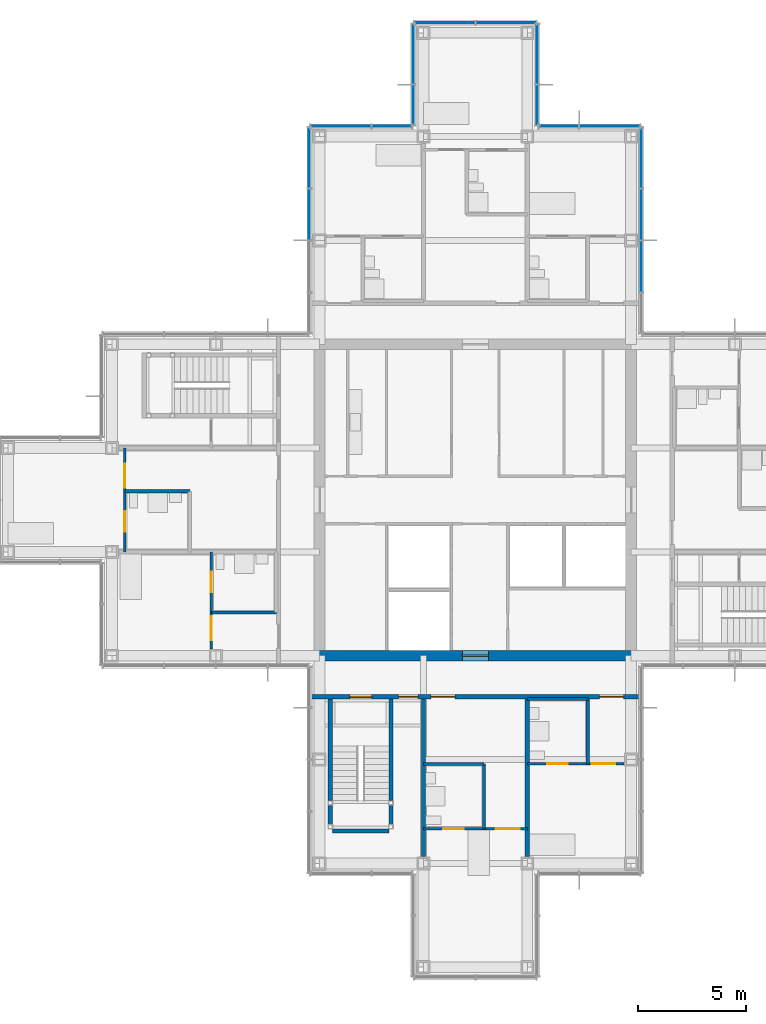
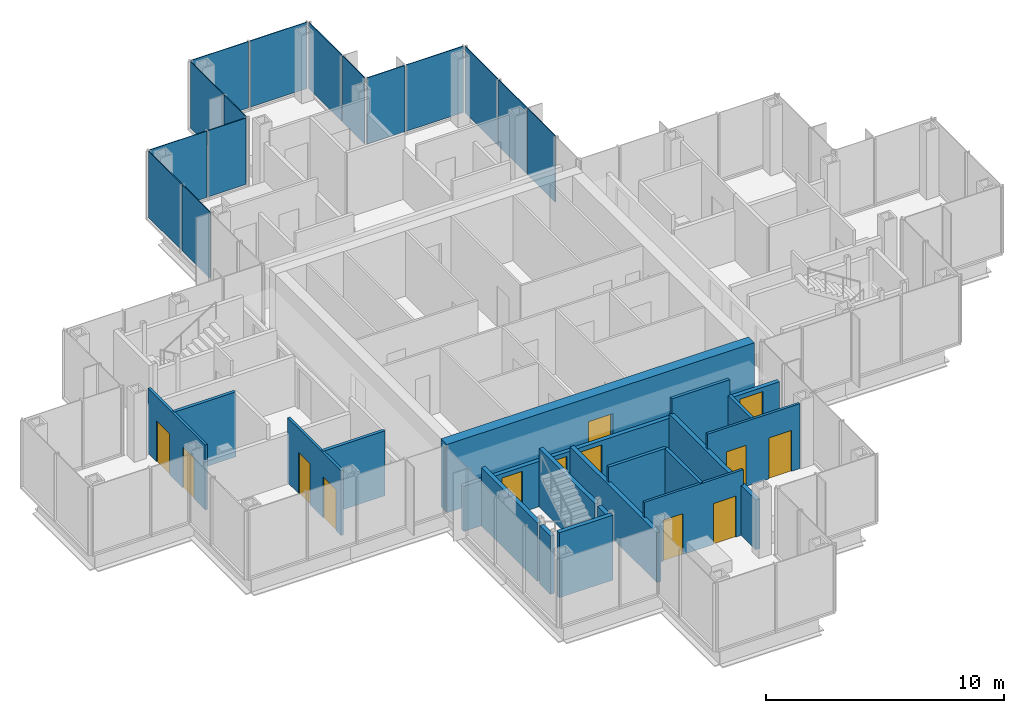
# One storey, part 11 of 17: 19 walls, 15 plates, 13 doors, 13 openings, 7 elements without a shape of their own.
"""IFC4 building model written with IfcOpenShell, lengths in metres."""

from ifc_helpers import new_model, si_unit, direction, frame, frame_2d, origin, origin_2d, place, context, subcontext, project, spatial, rectangle, extrude, material, layer, layer_set, type_object, element, fill, aggregate, save


model = new_model("IFC4")

# Units and contexts
model_context = context("Model", 3, precision=1e-05, world=origin(), true_north=direction((0.0, 1.0)))
body_context = subcontext(model_context, "Body", "Model", "MODEL_VIEW")
ifc_project = project(units=[si_unit("LENGTHUNIT", "METRE"), si_unit("AREAUNIT", "SQUARE_METRE"), si_unit("VOLUMEUNIT", "CUBIC_METRE"), si_unit("PLANEANGLEUNIT", "RADIAN"), si_unit("MASSUNIT", "GRAM", prefix="KILO")], contexts=[model_context])

# Site, building, storey
site_placement = place(None, origin())
site = spatial("IfcSite", under=ifc_project, at=site_placement, CompositionType="ELEMENT")
building_placement = place(site_placement, origin())
building = spatial("IfcBuilding", under=site, at=building_placement, Name="Kvirike Care Tower", CompositionType="ELEMENT")
storey_placement = place(building_placement, frame((0.0, 0.0, 179.5)))
storey = spatial("IfcBuildingStorey", under=building, at=storey_placement, Name="L49", CompositionType="ELEMENT", Elevation=179.5)

# Curtain wall, plates
ifc_material_1 = material(Name="Anodised aluminium stick system", Category="aluminium")
curtain_wall_type = type_object("IfcCurtainWallType", Name="CW-C STICK CURTAIN WALL", PredefinedType="NOTDEFINED", material=ifc_material_1)
curtain_wall_1_placement = place(storey_placement, origin())
curtain_wall_1 = element("IfcCurtainWall", 1, at=curtain_wall_1_placement, inside=storey, type_object=curtain_wall_type, Name="Curtain wall L49 face 8", PredefinedType="NOTDEFINED")
ifc_material_2 = material(Name="Tinted double glazed unit", Category="glass")
ifc_layer_1 = layer(ifc_material_2, 0.0400390625)
ifc_layer_set_1 = layer_set([ifc_layer_1], Name="TINTED VISION PANEL 40")
plate_type = type_object("IfcPlateType", Name="TINTED VISION PANEL 40", PredefinedType="CURTAIN_PANEL", material=ifc_layer_set_1)
plate_1_placement = place(storey_placement, frame((29.27001953125, 46.800048828125, 0.10009765625), z_axis=(0.0, 0.0, 1.0), x_axis=(0.0, 1.0, 0.0)))
plate_1 = element("IfcPlate", 2, at=plate_1_placement, type_object=plate_type, Name="CW-C panel L49 face 8.2", PredefinedType="CURTAIN_PANEL", context=body_context, shape_type="SweptSolid", body=[
    extrude(rectangle(XDim=2.3349609375, YDim=0.0400390625, at=origin_2d()), origin(), (0.0, 0.0, 1.0), 3.39990234375),
])
plate_2_placement = place(storey_placement, frame((29.27001953125, 49.199951171875, 0.10009765625), z_axis=(0.0, 0.0, 1.0), x_axis=(0.0, 1.0, 0.0)))
plate_2 = element("IfcPlate", 3, at=plate_2_placement, type_object=plate_type, Name="CW-C panel L49 face 8.3", PredefinedType="CURTAIN_PANEL", context=body_context, shape_type="SweptSolid", body=[
    extrude(rectangle(XDim=2.3349609375, YDim=0.0400390625, at=origin_2d()), origin(), (0.0, 0.0, 1.0), 3.39990234375),
])
plate_3_placement = place(storey_placement, frame((29.27001953125, 51.81884765625, 0.10009765625), z_axis=(0.0, 0.0, 1.0), x_axis=(0.0, 1.0, 0.0)))
plate_3 = element("IfcPlate", 4, at=plate_3_placement, type_object=plate_type, Name="CW-C panel L49 face 8.4", PredefinedType="CURTAIN_PANEL", context=body_context, shape_type="SweptSolid", body=[
    extrude(rectangle(XDim=2.7724609375, YDim=0.0400390625, at=origin_2d()), origin(), (0.0, 0.0, 1.0), 3.39990234375),
])
aggregate(curtain_wall_1, [plate_1, plate_2, plate_3])

curtain_wall_2_placement = place(storey_placement, origin())
curtain_wall_2 = element("IfcCurtainWall", 5, at=curtain_wall_2_placement, inside=storey, type_object=curtain_wall_type, Name="Curtain wall L49 face 9", PredefinedType="NOTDEFINED")
plate_4_placement = place(storey_placement, frame((27.81884765625, 53.27001953125, 0.10009765625), z_axis=(0.0, 0.0, 1.0), x_axis=(-1.0, 0.0, 0.0)))
plate_4 = element("IfcPlate", 6, at=plate_4_placement, type_object=plate_type, Name="CW-C panel L49 face 9.1", PredefinedType="CURTAIN_PANEL", context=body_context, shape_type="SweptSolid", body=[
    extrude(rectangle(XDim=2.7724609375, YDim=0.0400390625, at=origin_2d()), origin(), (0.0, 0.0, 1.0), 3.39990234375),
])
plate_5_placement = place(storey_placement, frame((25.451171875, 53.27001953125, 0.10009765625), z_axis=(0.0, 0.0, 1.0), x_axis=(-1.0, 0.0, 0.0)))
plate_5 = element("IfcPlate", 7, at=plate_5_placement, type_object=plate_type, Name="CW-C panel L49 face 9.2", PredefinedType="CURTAIN_PANEL", context=body_context, shape_type="SweptSolid", body=[
    extrude(rectangle(XDim=1.83251953125, YDim=0.0400390625, at=origin_2d()), origin(), (0.0, 0.0, 1.0), 3.39990234375),
])
aggregate(curtain_wall_2, [plate_4, plate_5])

curtain_wall_3_placement = place(storey_placement, origin())
curtain_wall_3 = element("IfcCurtainWall", 8, at=curtain_wall_3_placement, inside=storey, type_object=curtain_wall_type, Name="Curtain wall L49 face 10", PredefinedType="NOTDEFINED")
plate_6_placement = place(storey_placement, frame((24.469970703125, 54.251220703125, 0.10009765625), z_axis=(0.0, 0.0, 1.0), x_axis=(0.0, 1.0, 0.0)))
plate_6 = element("IfcPlate", 9, at=plate_6_placement, type_object=plate_type, Name="CW-C panel L49 face 10.1", PredefinedType="CURTAIN_PANEL", context=body_context, shape_type="SweptSolid", body=[
    extrude(rectangle(XDim=1.83251953125, YDim=0.0400390625, at=origin_2d()), origin(), (0.0, 0.0, 1.0), 3.39990234375),
])
plate_7_placement = place(storey_placement, frame((24.469970703125, 56.61865234375, 0.10009765625), z_axis=(0.0, 0.0, 1.0), x_axis=(0.0, 1.0, 0.0)))
plate_7 = element("IfcPlate", 10, at=plate_7_placement, type_object=plate_type, Name="CW-C panel L49 face 10.2", PredefinedType="CURTAIN_PANEL", context=body_context, shape_type="SweptSolid", body=[
    extrude(rectangle(XDim=2.7724609375, YDim=0.0400390625, at=origin_2d()), origin(), (0.0, 0.0, 1.0), 3.39990234375),
])
aggregate(curtain_wall_3, [plate_6, plate_7])

curtain_wall_4_placement = place(storey_placement, origin())
curtain_wall_4 = element("IfcCurtainWall", 11, at=curtain_wall_4_placement, inside=storey, type_object=curtain_wall_type, Name="Curtain wall L49 face 11", PredefinedType="NOTDEFINED")
plate_8_placement = place(storey_placement, frame((23.018798828125, 58.070068359375, 0.10009765625), z_axis=(0.0, 0.0, 1.0), x_axis=(-1.0, 0.0, 0.0)))
plate_8 = element("IfcPlate", 12, at=plate_8_placement, type_object=plate_type, Name="CW-C panel L49 face 11.1", PredefinedType="CURTAIN_PANEL", context=body_context, shape_type="SweptSolid", body=[
    extrude(rectangle(XDim=2.7724609375, YDim=0.0400390625, at=origin_2d()), origin(), (0.0, 0.0, 1.0), 3.39990234375),
])
plate_9_placement = place(storey_placement, frame((20.18115234375, 58.070068359375, 0.10009765625), z_axis=(0.0, 0.0, 1.0), x_axis=(-1.0, 0.0, 0.0)))
plate_9 = element("IfcPlate", 13, at=plate_9_placement, type_object=plate_type, Name="CW-C panel L49 face 11.2", PredefinedType="CURTAIN_PANEL", context=body_context, shape_type="SweptSolid", body=[
    extrude(rectangle(XDim=2.7724609375, YDim=0.0400390625, at=origin_2d()), origin(), (0.0, 0.0, 1.0), 3.39990234375),
])
aggregate(curtain_wall_4, [plate_8, plate_9])

curtain_wall_5_placement = place(storey_placement, origin())
curtain_wall_5 = element("IfcCurtainWall", 14, at=curtain_wall_5_placement, inside=storey, type_object=curtain_wall_type, Name="Curtain wall L49 face 12", PredefinedType="NOTDEFINED")
plate_10_placement = place(storey_placement, frame((18.72998046875, 56.61865234375, 0.10009765625), z_axis=(0.0, 0.0, 1.0), x_axis=(0.0, -1.0, 0.0)))
plate_10 = element("IfcPlate", 15, at=plate_10_placement, type_object=plate_type, Name="CW-C panel L49 face 12.1", PredefinedType="CURTAIN_PANEL", context=body_context, shape_type="SweptSolid", body=[
    extrude(rectangle(XDim=2.7724609375, YDim=0.0400390625, at=origin_2d()), origin(), (0.0, 0.0, 1.0), 3.39990234375),
])
plate_11_placement = place(storey_placement, frame((18.72998046875, 54.251220703125, 0.10009765625), z_axis=(0.0, 0.0, 1.0), x_axis=(0.0, -1.0, 0.0)))
plate_11 = element("IfcPlate", 16, at=plate_11_placement, type_object=plate_type, Name="CW-C panel L49 face 12.2", PredefinedType="CURTAIN_PANEL", context=body_context, shape_type="SweptSolid", body=[
    extrude(rectangle(XDim=1.83251953125, YDim=0.0400390625, at=origin_2d()), origin(), (0.0, 0.0, 1.0), 3.39990234375),
])
aggregate(curtain_wall_5, [plate_10, plate_11])

curtain_wall_6_placement = place(storey_placement, origin())
curtain_wall_6 = element("IfcCurtainWall", 17, at=curtain_wall_6_placement, inside=storey, type_object=curtain_wall_type, Name="Curtain wall L49 face 13", PredefinedType="NOTDEFINED")
plate_12_placement = place(storey_placement, frame((17.748779296875, 53.27001953125, 0.10009765625), z_axis=(0.0, 0.0, 1.0), x_axis=(-1.0, 0.0, 0.0)))
plate_12 = element("IfcPlate", 18, at=plate_12_placement, type_object=plate_type, Name="CW-C panel L49 face 13.1", PredefinedType="CURTAIN_PANEL", context=body_context, shape_type="SweptSolid", body=[
    extrude(rectangle(XDim=1.83251953125, YDim=0.0400390625, at=origin_2d()), origin(), (0.0, 0.0, 1.0), 3.39990234375),
])
plate_13_placement = place(storey_placement, frame((15.38134765625, 53.27001953125, 0.10009765625), z_axis=(0.0, 0.0, 1.0), x_axis=(-1.0, 0.0, 0.0)))
plate_13 = element("IfcPlate", 19, at=plate_13_placement, type_object=plate_type, Name="CW-C panel L49 face 13.2", PredefinedType="CURTAIN_PANEL", context=body_context, shape_type="SweptSolid", body=[
    extrude(rectangle(XDim=2.7724609375, YDim=0.0400390625, at=origin_2d()), origin(), (0.0, 0.0, 1.0), 3.39990234375),
])
aggregate(curtain_wall_6, [plate_12, plate_13])

curtain_wall_7_placement = place(storey_placement, origin())
curtain_wall_7 = element("IfcCurtainWall", 20, at=curtain_wall_7_placement, inside=storey, type_object=curtain_wall_type, Name="Curtain wall L49 face 14", PredefinedType="NOTDEFINED")
plate_14_placement = place(storey_placement, frame((13.929931640625, 51.81884765625, 0.10009765625), z_axis=(0.0, 0.0, 1.0), x_axis=(0.0, -1.0, 0.0)))
plate_14 = element("IfcPlate", 21, at=plate_14_placement, type_object=plate_type, Name="CW-C panel L49 face 14.1", PredefinedType="CURTAIN_PANEL", context=body_context, shape_type="SweptSolid", body=[
    extrude(rectangle(XDim=2.7724609375, YDim=0.0400390625, at=origin_2d()), origin(), (0.0, 0.0, 1.0), 3.39990234375),
])
plate_15_placement = place(storey_placement, frame((13.929931640625, 49.199951171875, 0.10009765625), z_axis=(0.0, 0.0, 1.0), x_axis=(0.0, -1.0, 0.0)))
plate_15 = element("IfcPlate", 22, at=plate_15_placement, type_object=plate_type, Name="CW-C panel L49 face 14.2", PredefinedType="CURTAIN_PANEL", context=body_context, shape_type="SweptSolid", body=[
    extrude(rectangle(XDim=2.3349609375, YDim=0.0400390625, at=origin_2d()), origin(), (0.0, 0.0, 1.0), 3.39990234375),
])
aggregate(curtain_wall_7, [plate_14, plate_15])

# Walls
ifc_material_3 = material(Name="Moisture-resistant board partition", Category="gypsum")
ifc_layer_2 = layer(ifc_material_3, 0.14990234375)
ifc_layer_set_2 = layer_set([ifc_layer_2], Name="BATHROOM WALL 150")
wall_type_1 = type_object("IfcWallType", Name="BATHROOM WALL 150", PredefinedType="PARTITIONING", material=ifc_layer_set_2)
for number, where, z_axis, x_axis, name in (
    (23, (5.39990234375, 36.39990234375, 0.0), (0.0, 0.0, 1.0), (1.0, 0.0, 0.0), "Bathroom Wall 150 L49"),
    (24, (9.39990234375, 30.800048828125, 0.0), (0.0, 0.0, 1.0), (1.0, 0.0, 0.0), "Bathroom Wall 150 L49"),
    (25, (22.0, 20.800048828125, 0.0), (0.0, 0.0, 1.0), (0.0, 1.0, 0.0), "Bathroom Wall 150 L49"),
):
    element("IfcWall", number, at=place(storey_placement, frame(where, z_axis=z_axis, x_axis=x_axis)), inside=storey, type_object=wall_type_1, Name=name, PredefinedType="PARTITIONING", context=body_context, shape_type="SweptSolid", body=[
        extrude(rectangle(XDim=3.0, YDim=0.14990234375, at=frame_2d((1.5, 0.0))), origin(), (0.0, 0.0, 1.0), 3.330078125),
    ])
wall_1_placement = place(storey_placement, frame((19.199951171875, 23.800048828125, 0.0), z_axis=(0.0, 0.0, 1.0), x_axis=(1.0, 0.0, 0.0)))
element("IfcWall", 26, at=wall_1_placement, inside=storey, type_object=wall_type_1, Name="Bathroom Wall 150 L49", PredefinedType="PARTITIONING", context=body_context, shape_type="SweptSolid", body=[
    extrude(rectangle(XDim=2.800048828125, YDim=0.14990234375, at=frame_2d((1.39990234375, 0.0))), origin(), (0.0, 0.0, 1.0), 3.330078125),
])
wall_2_placement = place(storey_placement, frame((26.800048828125, 23.800048828125, 0.0), z_axis=(0.0, 0.0, 1.0), x_axis=(0.0, 1.0, 0.0)))
element("IfcWall", 27, at=wall_2_placement, inside=storey, type_object=wall_type_1, Name="Bathroom Wall 150 L49", PredefinedType="PARTITIONING", context=body_context, shape_type="SweptSolid", body=[
    extrude(rectangle(XDim=3.0, YDim=0.14990234375, at=frame_2d((1.5, 0.0))), origin(), (0.0, 0.0, 1.0), 2.550048828125),
])
wall_3_placement = place(storey_placement, frame((24.0, 26.800048828125, 0.0), z_axis=(0.0, 0.0, 1.0), x_axis=(1.0, 0.0, 0.0)))
element("IfcWall", 28, at=wall_3_placement, inside=storey, type_object=wall_type_1, Name="Bathroom Wall 150 L49", PredefinedType="PARTITIONING", context=body_context, shape_type="SweptSolid", body=[
    extrude(rectangle(XDim=2.800048828125, YDim=0.14990234375, at=frame_2d((1.39990234375, 0.0))), origin(), (0.0, 0.0, 1.0), 3.330078125),
])

# Wall, opening, door
ifc_material_4 = material(Name="Concrete C45/55", Category="concrete")
ifc_layer_3 = layer(ifc_material_4, 0.5)
ifc_layer_set_3 = layer_set([ifc_layer_3], Name="CORE WALL 500 C45-55")
wall_type_2 = type_object("IfcWallType", Name="CORE WALL 500 C45-55", PredefinedType="SHEAR", material=ifc_layer_set_3)
wall_4_placement = place(storey_placement, frame((14.14990234375, 28.800048828125, -0.169921875), z_axis=(0.0, 0.0, 1.0), x_axis=(1.0, 0.0, 0.0)))
wall_4 = element("IfcWall", 29, at=wall_4_placement, inside=storey, type_object=wall_type_2, Name="Core wall S L49", PredefinedType="SHEAR", context=body_context, shape_type="SweptSolid", body=[
    extrude(rectangle(XDim=14.900146484375, YDim=0.5, at=frame_2d((7.4501953125, 0.0))), origin(), (0.0, 0.0, 1.0), 3.5),
])
opening_1_placement = place(wall_4_placement, frame((6.85009765625, 0.0, 0.169921875)))
opening_1 = element("IfcOpeningElement", 30, at=opening_1_placement, cuts=wall_4, Name="Opening 49-049", PredefinedType="OPENING", context=body_context, shape_type="SweptSolid", body=[
    extrude(rectangle(XDim=1.199951171875, YDim=2.10009765625, at=frame_2d((0.60009765625, 1.050048828125))), frame((0.0, 0.260498046875, 0.0), z_axis=(0.0, -1.0, 0.0), x_axis=(1.0, 0.0, 0.0)), (0.0, 0.0, 1.0), 0.52099609375),
])
ifc_material_5 = material(Name="Timber door set", Category="wood")
door_type_1 = type_object("IfcDoorType", Name="CORE DOOR 1200", OperationType="SINGLE_SWING_LEFT", PredefinedType="DOOR", material=ifc_material_5)
door_1_placement = place(opening_1_placement, origin())
door_1 = element("IfcDoor", 31, at=door_1_placement, inside=storey, type_object=door_type_1, Name="Core door S L49", OperationType="SINGLE_SWING_LEFT", OverallHeight=2.10009765625, OverallWidth=1.199951171875, PredefinedType="DOOR", context=body_context, shape_type="SweptSolid", body=[
    extrude(rectangle(XDim=1.199951171875, YDim=2.10009765625, at=frame_2d((0.60009765625, 1.050048828125))), frame((0.0, 0.02685546875, 0.0), z_axis=(0.0, -1.0, 0.0), x_axis=(1.0, 0.0, 0.0)), (0.0, 0.0, 1.0), 0.053955078125),
])
fill(opening_1, door_1)

# Wall, openings, doors
ifc_material_6 = material(Name="Plasterboard corridor wall", Category="gypsum")
ifc_layer_4 = layer(ifc_material_6, 0.199951171875)
ifc_layer_set_4 = layer_set([ifc_layer_4], Name="CORRIDOR WALL 200")
wall_type_3 = type_object("IfcWallType", Name="CORRIDOR WALL 200", PredefinedType="PARTITIONING", material=ifc_layer_set_4)
wall_5_placement = place(storey_placement, frame((13.949951171875, 26.89990234375, 0.0), z_axis=(0.0, 0.0, 1.0), x_axis=(1.0, 0.0, 0.0)))
wall_5 = element("IfcWall", 32, at=wall_5_placement, inside=storey, type_object=wall_type_3, Name="Corridor Wall 200 L49", PredefinedType="PARTITIONING", context=body_context, shape_type="SweptSolid", body=[
    extrude(rectangle(XDim=15.300048828125, YDim=0.199951171875, at=frame_2d((7.64990234375, 0.0))), origin(), (0.0, 0.0, 1.0), 2.320068359375),
])
opening_2_placement = place(wall_5_placement, frame((1.85009765625, 0.0, 0.0)))
opening_2 = element("IfcOpeningElement", 33, at=opening_2_placement, cuts=wall_5, Name="Opening 49-014", PredefinedType="OPENING", context=body_context, shape_type="SweptSolid", body=[
    extrude(rectangle(XDim=1.0, YDim=2.10009765625, at=frame_2d((0.5, 1.050048828125))), frame((0.0, 0.110595703125, 0.0), z_axis=(0.0, -1.0, 0.0), x_axis=(1.0, 0.0, 0.0)), (0.0, 0.0, 1.0), 0.220947265625),
])
opening_3_placement = place(wall_5_placement, frame((4.10009765625, 0.0, 0.0)))
opening_3 = element("IfcOpeningElement", 34, at=opening_3_placement, cuts=wall_5, Name="Opening 49-015", PredefinedType="OPENING", context=body_context, shape_type="SweptSolid", body=[
    extrude(rectangle(XDim=0.89990234375, YDim=2.10009765625, at=frame_2d((0.449951171875, 1.050048828125))), frame((0.0, 0.110595703125, 0.0), z_axis=(0.0, -1.0, 0.0), x_axis=(1.0, 0.0, 0.0)), (0.0, 0.0, 1.0), 0.220947265625),
])
opening_4_placement = place(wall_5_placement, frame((5.60009765625, 0.0, 0.0)))
opening_4 = element("IfcOpeningElement", 35, at=opening_4_placement, cuts=wall_5, Name="Opening 49-016", PredefinedType="OPENING", context=body_context, shape_type="SweptSolid", body=[
    extrude(rectangle(XDim=1.10009765625, YDim=2.10009765625, at=frame_2d((0.550048828125, 1.050048828125))), frame((0.0, 0.110595703125, 0.0), z_axis=(0.0, -1.0, 0.0), x_axis=(1.0, 0.0, 0.0)), (0.0, 0.0, 1.0), 0.220947265625),
])
opening_5_placement = place(wall_5_placement, frame((13.39990234375, 0.0, 0.0)))
opening_5 = element("IfcOpeningElement", 36, at=opening_5_placement, cuts=wall_5, Name="Opening 49-017", PredefinedType="OPENING", context=body_context, shape_type="SweptSolid", body=[
    extrude(rectangle(XDim=1.10009765625, YDim=2.10009765625, at=frame_2d((0.550048828125, 1.050048828125))), frame((0.0, 0.110595703125, 0.0), z_axis=(0.0, -1.0, 0.0), x_axis=(1.0, 0.0, 0.0)), (0.0, 0.0, 1.0), 0.220947265625),
])
ifc_material_7 = material(Name="Timber door set", Category="wood")
door_type_2 = type_object("IfcDoorType", Name="BEDROOM ENTRANCE DOOR 1100", OperationType="SINGLE_SWING_LEFT", PredefinedType="DOOR", material=ifc_material_7)
door_2_placement = place(opening_4_placement, frame((1.10009765625, 0.0, 0.0), z_axis=(0.0, 0.0, 1.0), x_axis=(-1.0, 0.0, 0.0)))
door_2 = element("IfcDoor", 37, at=door_2_placement, inside=storey, type_object=door_type_2, Name="Memory care bedroom entrance", OperationType="SINGLE_SWING_LEFT", OverallHeight=2.10009765625, OverallWidth=1.10009765625, PredefinedType="DOOR", context=body_context, shape_type="SweptSolid", body=[
    extrude(rectangle(XDim=1.10009765625, YDim=2.10009765625, at=frame_2d((0.550048828125, 1.050048828125))), frame((0.0, 0.02685546875, 0.0), z_axis=(0.0, -1.0, 0.0), x_axis=(1.0, 0.0, 0.0)), (0.0, 0.0, 1.0), 0.053955078125),
])
fill(opening_4, door_2)
door_3_placement = place(opening_5_placement, frame((1.10009765625, 0.0, 0.0), z_axis=(0.0, 0.0, 1.0), x_axis=(-1.0, 0.0, 0.0)))
door_3 = element("IfcDoor", 38, at=door_3_placement, inside=storey, type_object=door_type_2, Name="Memory care bedroom entrance", OperationType="SINGLE_SWING_RIGHT", OverallHeight=2.10009765625, OverallWidth=1.10009765625, PredefinedType="DOOR", context=body_context, shape_type="SweptSolid", body=[
    extrude(rectangle(XDim=1.10009765625, YDim=2.10009765625, at=frame_2d((0.550048828125, 1.050048828125))), frame((0.0, 0.02685546875, 0.0), z_axis=(0.0, -1.0, 0.0), x_axis=(1.0, 0.0, 0.0)), (0.0, 0.0, 1.0), 0.053955078125),
])
fill(opening_5, door_3)
ifc_material_8 = material(Name="Timber door set", Category="wood")
door_type_3 = type_object("IfcDoorType", Name="STAIR DOOR 1000", OperationType="SINGLE_SWING_LEFT", PredefinedType="DOOR", material=ifc_material_8)
door_4_placement = place(opening_2_placement, frame((1.0, 0.0, 0.0), z_axis=(0.0, 0.0, 1.0), x_axis=(-1.0, 0.0, 0.0)))
door_4 = element("IfcDoor", 39, at=door_4_placement, inside=storey, type_object=door_type_3, Name="Stair 5 door", OperationType="SINGLE_SWING_LEFT", OverallHeight=2.10009765625, OverallWidth=1.0, PredefinedType="DOOR", context=body_context, shape_type="SweptSolid", body=[
    extrude(rectangle(XDim=1.0, YDim=2.10009765625, at=frame_2d((0.5, 1.050048828125))), frame((0.0, 0.031982421875, 0.0), z_axis=(0.0, -1.0, 0.0), x_axis=(1.0, 0.0, 0.0)), (0.0, 0.0, 1.0), 0.06396484375),
])
fill(opening_2, door_4)
ifc_material_9 = material(Name="Timber door set", Category="wood")
door_type_4 = type_object("IfcDoorType", Name="STORE DOOR 900", OperationType="SINGLE_SWING_LEFT", PredefinedType="DOOR", material=ifc_material_9)
door_5_placement = place(opening_3_placement, frame((0.89990234375, 0.0, 0.0), z_axis=(0.0, 0.0, 1.0), x_axis=(-1.0, 0.0, 0.0)))
door_5 = element("IfcDoor", 40, at=door_5_placement, inside=storey, type_object=door_type_4, Name="Housekeeping room door", OperationType="SINGLE_SWING_LEFT", OverallHeight=2.10009765625, OverallWidth=0.89990234375, PredefinedType="DOOR", context=body_context, shape_type="SweptSolid", body=[
    extrude(rectangle(XDim=0.89990234375, YDim=2.10009765625, at=frame_2d((0.449951171875, 1.050048828125))), frame((0.0, 0.02685546875, 0.0), z_axis=(0.0, -1.0, 0.0), x_axis=(1.0, 0.0, 0.0)), (0.0, 0.0, 1.0), 0.053955078125),
])
fill(opening_3, door_5)

ifc_material_10 = material(Name="Plasterboard partition", Category="gypsum")
ifc_layer_5 = layer(ifc_material_10, 0.1201171875)
ifc_layer_set_5 = layer_set([ifc_layer_5], Name="PARTITION 120")
wall_type_4 = type_object("IfcWallType", Name="PARTITION 120", PredefinedType="PARTITIONING", material=ifc_layer_set_5)
wall_6_placement = place(storey_placement, frame((5.39990234375, 38.39990234375, 0.0), z_axis=(0.0, 0.0, 1.0), x_axis=(0.0, -1.0, 0.0)))
wall_6 = element("IfcWall", 41, at=wall_6_placement, inside=storey, type_object=wall_type_4, Name="Partition 120 L49", PredefinedType="PARTITIONING", context=body_context, shape_type="SweptSolid", body=[
    extrude(rectangle(XDim=4.7998046875, YDim=0.1201171875, at=frame_2d((2.39990234375, 0.0))), origin(), (0.0, 0.0, 1.0), 3.330078125),
])
opening_6_placement = place(wall_6_placement, frame((0.72509765625, 0.0, 0.0)))
opening_6 = element("IfcOpeningElement", 42, at=opening_6_placement, cuts=wall_6, Name="Opening 49-002", PredefinedType="OPENING", context=body_context, shape_type="SweptSolid", body=[
    extrude(rectangle(XDim=1.10009765625, YDim=2.10009765625, at=frame_2d((0.550048828125, 1.050048828125))), frame((0.0, 0.070556640625, 0.0), z_axis=(0.0, -1.0, 0.0), x_axis=(1.0, 0.0, 0.0)), (0.0, 0.0, 1.0), 0.14111328125),
])
opening_7_placement = place(wall_6_placement, frame((2.925048828125, 0.0, 0.0)))
opening_7 = element("IfcOpeningElement", 43, at=opening_7_placement, cuts=wall_6, Name="Opening 49-003", PredefinedType="OPENING", context=body_context, shape_type="SweptSolid", body=[
    extrude(rectangle(XDim=0.949951171875, YDim=2.10009765625, at=frame_2d((0.47509765625, 1.050048828125))), frame((0.0, 0.070556640625, 0.0), z_axis=(0.0, -1.0, 0.0), x_axis=(1.0, 0.0, 0.0)), (0.0, 0.0, 1.0), 0.14111328125),
])
ifc_material_11 = material(Name="Timber door set", Category="wood")
door_type_5 = type_object("IfcDoorType", Name="BEDROOM DOOR 1100", OperationType="SINGLE_SWING_LEFT", PredefinedType="DOOR", material=ifc_material_11)
door_6_placement = place(opening_6_placement, origin())
door_6 = element("IfcDoor", 44, at=door_6_placement, inside=storey, type_object=door_type_5, Name="Memory care bedroom door", OperationType="SINGLE_SWING_LEFT", OverallHeight=2.10009765625, OverallWidth=1.10009765625, PredefinedType="DOOR", context=body_context, shape_type="SweptSolid", body=[
    extrude(rectangle(XDim=1.10009765625, YDim=2.10009765625, at=frame_2d((0.550048828125, 1.050048828125))), frame((0.0, 0.02197265625, 0.0), z_axis=(0.0, -1.0, 0.0), x_axis=(1.0, 0.0, 0.0)), (0.0, 0.0, 1.0), 0.0439453125),
])
fill(opening_6, door_6)
ifc_material_12 = material(Name="Timber door set", Category="wood")
door_type_6 = type_object("IfcDoorType", Name="EN-SUITE SLIDING DOOR 950", OperationType="SLIDING_TO_LEFT", PredefinedType="DOOR", material=ifc_material_12)
door_7_placement = place(opening_7_placement, origin())
door_7 = element("IfcDoor", 45, at=door_7_placement, inside=storey, type_object=door_type_6, Name="En-suite door", OperationType="SLIDING_TO_LEFT", OverallHeight=2.10009765625, OverallWidth=0.949951171875, PredefinedType="DOOR", context=body_context, shape_type="SweptSolid", body=[
    extrude(rectangle(XDim=0.949951171875, YDim=2.10009765625, at=frame_2d((0.47509765625, 1.050048828125))), frame((0.0, 0.02197265625, 0.0), z_axis=(0.0, -1.0, 0.0), x_axis=(1.0, 0.0, 0.0)), (0.0, 0.0, 1.0), 0.0439453125),
])
fill(opening_7, door_7)

wall_7_placement = place(storey_placement, frame((9.39990234375, 33.60009765625, 0.0), z_axis=(0.0, 0.0, 1.0), x_axis=(0.0, -1.0, 0.0)))
wall_7 = element("IfcWall", 46, at=wall_7_placement, inside=storey, type_object=wall_type_4, Name="Partition 120 L49", PredefinedType="PARTITIONING", context=body_context, shape_type="SweptSolid", body=[
    extrude(rectangle(XDim=4.47998046875, YDim=0.1201171875, at=frame_2d((2.239990234375, 0.0))), origin(), (0.0, 0.0, 1.0), 3.330078125),
])
opening_8_placement = place(wall_7_placement, frame((2.97509765625, 0.0, 0.0)))
opening_8 = element("IfcOpeningElement", 47, at=opening_8_placement, cuts=wall_7, Name="Opening 49-004", PredefinedType="OPENING", context=body_context, shape_type="SweptSolid", body=[
    extrude(rectangle(XDim=1.10009765625, YDim=2.10009765625, at=frame_2d((0.550048828125, 1.050048828125))), frame((0.0, 0.070556640625, 0.0), z_axis=(0.0, -1.0, 0.0), x_axis=(1.0, 0.0, 0.0)), (0.0, 0.0, 1.0), 0.14111328125),
])
opening_9_placement = place(wall_7_placement, frame((0.925048828125, 0.0, 0.0)))
opening_9 = element("IfcOpeningElement", 48, at=opening_9_placement, cuts=wall_7, Name="Opening 49-005", PredefinedType="OPENING", context=body_context, shape_type="SweptSolid", body=[
    extrude(rectangle(XDim=0.949951171875, YDim=2.10009765625, at=frame_2d((0.47509765625, 1.050048828125))), frame((0.0, 0.070556640625, 0.0), z_axis=(0.0, -1.0, 0.0), x_axis=(1.0, 0.0, 0.0)), (0.0, 0.0, 1.0), 0.14111328125),
])
door_8_placement = place(opening_8_placement, origin())
door_8 = element("IfcDoor", 49, at=door_8_placement, inside=storey, type_object=door_type_5, Name="Memory care bedroom door", OperationType="SINGLE_SWING_RIGHT", OverallHeight=2.10009765625, OverallWidth=1.10009765625, PredefinedType="DOOR", context=body_context, shape_type="SweptSolid", body=[
    extrude(rectangle(XDim=1.10009765625, YDim=2.10009765625, at=frame_2d((0.550048828125, 1.050048828125))), frame((0.0, 0.02197265625, 0.0), z_axis=(0.0, -1.0, 0.0), x_axis=(1.0, 0.0, 0.0)), (0.0, 0.0, 1.0), 0.0439453125),
])
fill(opening_8, door_8)
door_9_placement = place(opening_9_placement, origin())
door_9 = element("IfcDoor", 50, at=door_9_placement, inside=storey, type_object=door_type_6, Name="En-suite door", OperationType="SLIDING_TO_LEFT", OverallHeight=2.10009765625, OverallWidth=0.949951171875, PredefinedType="DOOR", context=body_context, shape_type="SweptSolid", body=[
    extrude(rectangle(XDim=0.949951171875, YDim=2.10009765625, at=frame_2d((0.47509765625, 1.050048828125))), frame((0.0, 0.02197265625, 0.0), z_axis=(0.0, -1.0, 0.0), x_axis=(1.0, 0.0, 0.0)), (0.0, 0.0, 1.0), 0.0439453125),
])
fill(opening_9, door_9)

wall_8_placement = place(storey_placement, frame((19.199951171875, 20.800048828125, 0.0), z_axis=(0.0, 0.0, 1.0), x_axis=(1.0, 0.0, 0.0)))
wall_8 = element("IfcWall", 51, at=wall_8_placement, inside=storey, type_object=wall_type_4, Name="Partition 120 L49", PredefinedType="PARTITIONING", context=body_context, shape_type="SweptSolid", body=[
    extrude(rectangle(XDim=4.800048828125, YDim=0.1201171875, at=frame_2d((2.39990234375, 0.0))), origin(), (0.0, 0.0, 1.0), 3.330078125),
])
opening_10_placement = place(wall_8_placement, frame((3.35009765625, 0.0, 0.0)))
opening_10 = element("IfcOpeningElement", 52, at=opening_10_placement, cuts=wall_8, Name="Opening 49-010", PredefinedType="OPENING", context=body_context, shape_type="SweptSolid", body=[
    extrude(rectangle(XDim=1.10009765625, YDim=2.10009765625, at=frame_2d((0.550048828125, 1.050048828125))), frame((0.0, 0.070556640625, 0.0), z_axis=(0.0, -1.0, 0.0), x_axis=(1.0, 0.0, 0.0)), (0.0, 0.0, 1.0), 0.14111328125),
])
opening_11_placement = place(wall_8_placement, frame((0.925048828125, 0.0, 0.0)))
opening_11 = element("IfcOpeningElement", 53, at=opening_11_placement, cuts=wall_8, Name="Opening 49-011", PredefinedType="OPENING", context=body_context, shape_type="SweptSolid", body=[
    extrude(rectangle(XDim=0.949951171875, YDim=2.10009765625, at=frame_2d((0.47509765625, 1.050048828125))), frame((0.0, 0.070556640625, 0.0), z_axis=(0.0, -1.0, 0.0), x_axis=(1.0, 0.0, 0.0)), (0.0, 0.0, 1.0), 0.14111328125),
])
door_10_placement = place(opening_10_placement, origin())
door_10 = element("IfcDoor", 54, at=door_10_placement, inside=storey, type_object=door_type_5, Name="Memory care bedroom door", OperationType="SINGLE_SWING_LEFT", OverallHeight=2.10009765625, OverallWidth=1.10009765625, PredefinedType="DOOR", context=body_context, shape_type="SweptSolid", body=[
    extrude(rectangle(XDim=1.10009765625, YDim=2.10009765625, at=frame_2d((0.550048828125, 1.050048828125))), frame((0.0, 0.02197265625, 0.0), z_axis=(0.0, -1.0, 0.0), x_axis=(1.0, 0.0, 0.0)), (0.0, 0.0, 1.0), 0.0439453125),
])
fill(opening_10, door_10)
door_11_placement = place(opening_11_placement, origin())
door_11 = element("IfcDoor", 55, at=door_11_placement, inside=storey, type_object=door_type_6, Name="En-suite door", OperationType="SLIDING_TO_LEFT", OverallHeight=2.10009765625, OverallWidth=0.949951171875, PredefinedType="DOOR", context=body_context, shape_type="SweptSolid", body=[
    extrude(rectangle(XDim=0.949951171875, YDim=2.10009765625, at=frame_2d((0.47509765625, 1.050048828125))), frame((0.0, 0.02197265625, 0.0), z_axis=(0.0, -1.0, 0.0), x_axis=(1.0, 0.0, 0.0)), (0.0, 0.0, 1.0), 0.0439453125),
])
fill(opening_11, door_11)

wall_9_placement = place(storey_placement, frame((24.0, 23.800048828125, 0.0), z_axis=(0.0, 0.0, 1.0), x_axis=(1.0, 0.0, 0.0)))
wall_9 = element("IfcWall", 56, at=wall_9_placement, inside=storey, type_object=wall_type_4, Name="Partition 120 L49", PredefinedType="PARTITIONING", context=body_context, shape_type="SweptSolid", body=[
    extrude(rectangle(XDim=4.47998046875, YDim=0.1201171875, at=frame_2d((2.239990234375, 0.0))), origin(), (0.0, 0.0, 1.0), 3.330078125),
])
opening_12_placement = place(wall_9_placement, frame((2.97509765625, 0.0, 0.0)))
opening_12 = element("IfcOpeningElement", 57, at=opening_12_placement, cuts=wall_9, Name="Opening 49-012", PredefinedType="OPENING", context=body_context, shape_type="SweptSolid", body=[
    extrude(rectangle(XDim=1.10009765625, YDim=2.10009765625, at=frame_2d((0.550048828125, 1.050048828125))), frame((0.0, 0.070556640625, 0.0), z_axis=(0.0, -1.0, 0.0), x_axis=(1.0, 0.0, 0.0)), (0.0, 0.0, 1.0), 0.14111328125),
])
opening_13_placement = place(wall_9_placement, frame((0.925048828125, 0.0, 0.0)))
opening_13 = element("IfcOpeningElement", 58, at=opening_13_placement, cuts=wall_9, Name="Opening 49-013", PredefinedType="OPENING", context=body_context, shape_type="SweptSolid", body=[
    extrude(rectangle(XDim=0.949951171875, YDim=2.10009765625, at=frame_2d((0.47509765625, 1.050048828125))), frame((0.0, 0.070556640625, 0.0), z_axis=(0.0, -1.0, 0.0), x_axis=(1.0, 0.0, 0.0)), (0.0, 0.0, 1.0), 0.14111328125),
])
door_12_placement = place(opening_12_placement, origin())
door_12 = element("IfcDoor", 59, at=door_12_placement, inside=storey, type_object=door_type_5, Name="Memory care bedroom door", OperationType="SINGLE_SWING_RIGHT", OverallHeight=2.10009765625, OverallWidth=1.10009765625, PredefinedType="DOOR", context=body_context, shape_type="SweptSolid", body=[
    extrude(rectangle(XDim=1.10009765625, YDim=2.10009765625, at=frame_2d((0.550048828125, 1.050048828125))), frame((0.0, 0.02197265625, 0.0), z_axis=(0.0, -1.0, 0.0), x_axis=(1.0, 0.0, 0.0)), (0.0, 0.0, 1.0), 0.0439453125),
])
fill(opening_12, door_12)
door_13_placement = place(opening_13_placement, origin())
door_13 = element("IfcDoor", 60, at=door_13_placement, inside=storey, type_object=door_type_6, Name="En-suite door", OperationType="SLIDING_TO_LEFT", OverallHeight=2.10009765625, OverallWidth=0.949951171875, PredefinedType="DOOR", context=body_context, shape_type="SweptSolid", body=[
    extrude(rectangle(XDim=0.949951171875, YDim=2.10009765625, at=frame_2d((0.47509765625, 1.050048828125))), frame((0.0, 0.02197265625, 0.0), z_axis=(0.0, -1.0, 0.0), x_axis=(1.0, 0.0, 0.0)), (0.0, 0.0, 1.0), 0.0439453125),
])
fill(opening_13, door_13)

# Walls
ifc_material_13 = material(Name="Plasterboard party wall", Category="gypsum")
ifc_layer_6 = layer(ifc_material_13, 0.199951171875)
ifc_layer_set_6 = layer_set([ifc_layer_6], Name="PARTY WALL 200")
wall_type_5 = type_object("IfcWallType", Name="PARTY WALL 200", PredefinedType="PARTITIONING", material=ifc_layer_set_6)
for number, where, z_axis, x_axis, name in (
    (61, (19.199951171875, 19.52001953125, 0.0), (0.0, 0.0, 1.0), (0.0, 1.0, 0.0), "Party Wall 200 L49"),
    (62, (24.0, 19.52001953125, 0.0), (0.0, 0.0, 1.0), (0.0, 1.0, 0.0), "Party Wall 200 L49"),
):
    element("IfcWall", number, at=place(storey_placement, frame(where, z_axis=z_axis, x_axis=x_axis)), inside=storey, type_object=wall_type_5, Name=name, PredefinedType="PARTITIONING", context=body_context, shape_type="SweptSolid", body=[
        extrude(rectangle(XDim=7.280029296875, YDim=0.199951171875, at=frame_2d((3.64013671875, 0.0))), origin(), (0.0, 0.0, 1.0), 2.550048828125),
    ])
ifc_material_14 = material(Name="Concrete C40/50", Category="concrete")
ifc_layer_7 = layer(ifc_material_14, 0.199951171875)
ifc_layer_set_7 = layer_set([ifc_layer_7], Name="STAIR WALL 200")
wall_type_6 = type_object("IfcWallType", Name="STAIR WALL 200", PredefinedType="SOLIDWALL", material=ifc_layer_set_7)
wall_10_placement = place(storey_placement, frame((14.89990234375, 21.0, 0.0), z_axis=(0.0, 0.0, 1.0), x_axis=(0.0, 1.0, 0.0)))
element("IfcWall", 63, at=wall_10_placement, inside=storey, type_object=wall_type_6, Name="Stair Wall 200 L49", PredefinedType="SOLIDWALL", context=body_context, shape_type="SweptSolid", body=[
    extrude(rectangle(XDim=0.89990234375, YDim=0.199951171875, at=frame_2d((0.449951171875, 0.0))), origin(), (0.0, 0.0, 1.0), 2.989990234375),
])
wall_11_placement = place(storey_placement, frame((14.89990234375, 22.10009765625, 0.0), z_axis=(0.0, 0.0, 1.0), x_axis=(0.0, 1.0, 0.0)))
element("IfcWall", 64, at=wall_11_placement, inside=storey, type_object=wall_type_6, Name="Stair Wall 200 L49", PredefinedType="SOLIDWALL", context=body_context, shape_type="SweptSolid", body=[
    extrude(rectangle(XDim=4.699951171875, YDim=0.199951171875, at=frame_2d((2.35009765625, 0.0))), origin(), (0.0, 0.0, 1.0), 2.989990234375),
])
wall_12_placement = place(storey_placement, frame((17.699951171875, 21.0, 0.0), z_axis=(0.0, 0.0, 1.0), x_axis=(0.0, 1.0, 0.0)))
element("IfcWall", 65, at=wall_12_placement, inside=storey, type_object=wall_type_6, Name="Stair Wall 200 L49", PredefinedType="SOLIDWALL", context=body_context, shape_type="SweptSolid", body=[
    extrude(rectangle(XDim=0.89990234375, YDim=0.199951171875, at=frame_2d((0.449951171875, 0.0))), origin(), (0.0, 0.0, 1.0), 2.989990234375),
])
wall_13_placement = place(storey_placement, frame((17.699951171875, 22.10009765625, 0.0), z_axis=(0.0, 0.0, 1.0), x_axis=(0.0, 1.0, 0.0)))
element("IfcWall", 66, at=wall_13_placement, inside=storey, type_object=wall_type_6, Name="Stair Wall 200 L49", PredefinedType="SOLIDWALL", context=body_context, shape_type="SweptSolid", body=[
    extrude(rectangle(XDim=4.699951171875, YDim=0.199951171875, at=frame_2d((2.35009765625, 0.0))), origin(), (0.0, 0.0, 1.0), 2.989990234375),
])
wall_14_placement = place(storey_placement, frame((15.0, 20.699951171875, 0.0), z_axis=(0.0, 0.0, 1.0), x_axis=(1.0, 0.0, 0.0)))
element("IfcWall", 67, at=wall_14_placement, inside=storey, type_object=wall_type_6, Name="Stair Wall 200 L49", PredefinedType="SOLIDWALL", context=body_context, shape_type="SweptSolid", body=[
    extrude(rectangle(XDim=2.60009765625, YDim=0.199951171875, at=frame_2d((1.300048828125, 0.0))), origin(), (0.0, 0.0, 1.0), 3.330078125),
])

save(model, "model.ifc")
